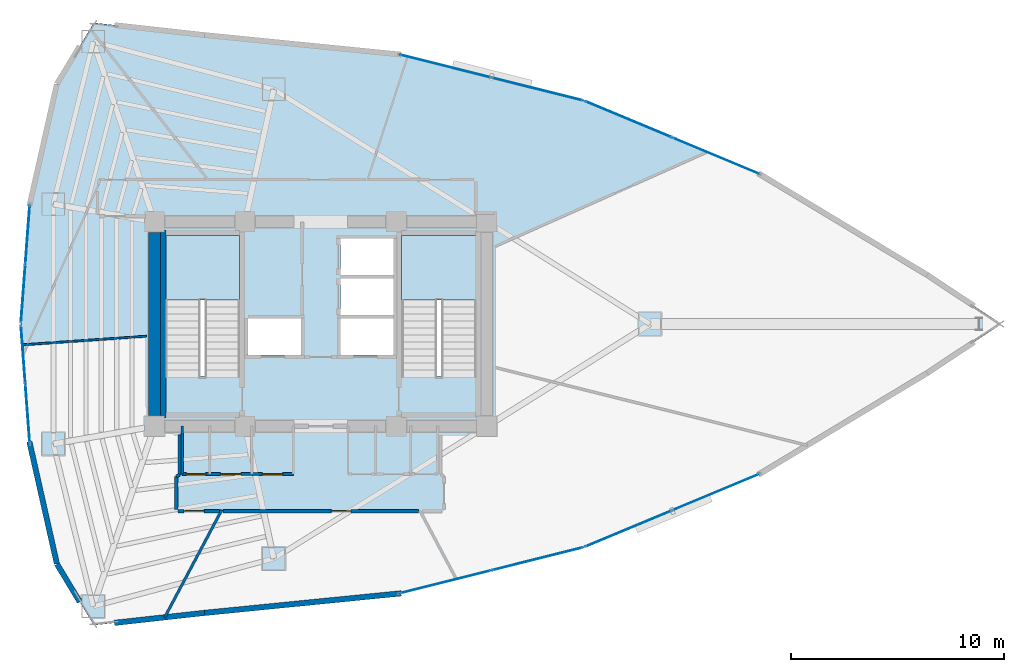
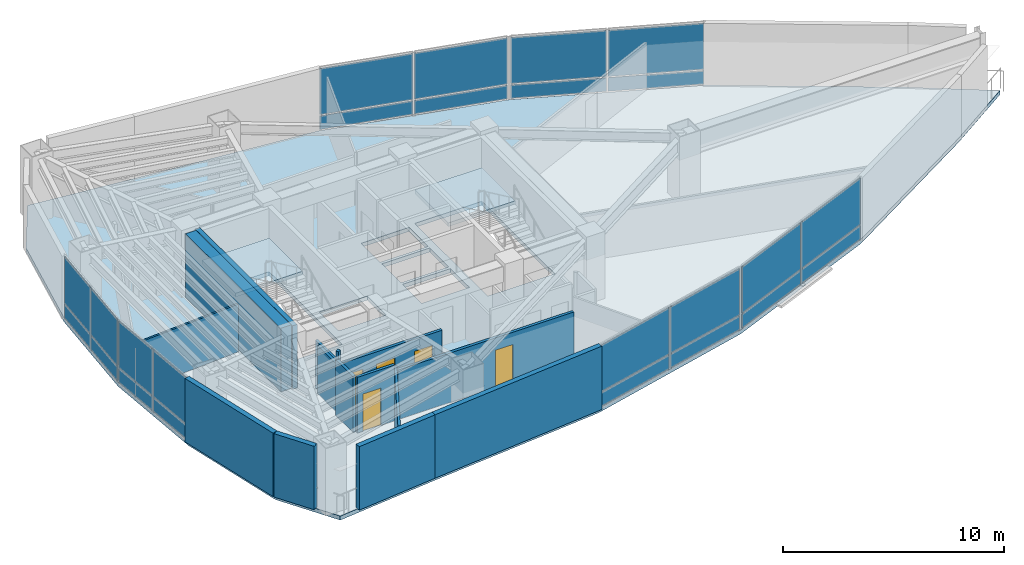
# One storey, part 13 of 18: 24 plates, 15 walls, 5 doors, 3 slabs, 5 openings, 8 elements without a shape of their own.
"""IFC4 building model written with IfcOpenShell, lengths in metres."""

import ifcopenshell
import ifcopenshell.guid

model = None  # the IFC model being written
_history = None  # IfcOwnerHistory: only IFC2X3 demands one
_inside = {}  # id of a spatial element -> (the spatial element, [elements in it])
_under = {}  # id of a project, library or spatial element -> (it, [spatial elements below it])
_declared = {}  # id of a project -> (the project, [libraries it declares])
_typed = {}  # id of a type object -> (the type object, [elements of that type])
_made_of = {}  # id of a material, layer set ... -> (it, [elements and type objects made of it])


def new_model(schema):
    """Start an empty IFC model of exactly this schema.

    Asked for "IFC4X3", IfcOpenShell would pick the latest addendum, in which some entities
    have other attributes; the version numbers below select the first issue.
    IFC2X3 requires an IfcOwnerHistory on every rooted entity: one is made here for all.
    """
    global model, _history
    if schema == "IFC4X3":
        model = ifcopenshell.file(schema_version=(4, 3, 0, 0))
    else:
        model = ifcopenshell.file(schema=schema)
    _inside.clear()
    _under.clear()
    _declared.clear()
    _typed.clear()
    _made_of.clear()
    _history = None
    if model.schema == "IFC2X3":
        org = make("IfcOrganization", Name="unknown")
        user = make(
            "IfcPersonAndOrganization",
            ThePerson=make("IfcPerson", FamilyName="unknown"),
            TheOrganization=org,
        )
        app = make(
            "IfcApplication",
            ApplicationDeveloper=org,
            Version="unknown",
            ApplicationFullName="unknown",
            ApplicationIdentifier="unknown",
        )
        _history = make(
            "IfcOwnerHistory",
            OwningUser=user,
            OwningApplication=app,
            ChangeAction="ADDED",
            CreationDate=0,
        )
    return model


def make(cls, **values):
    """One entity of the class cls with the attributes given. An attribute that is None is left unset."""
    return model.create_entity(
        cls, **{name: value for name, value in values.items() if value is not None}
    )


def rooted(cls, **values):
    """An entity with a GlobalId (a new one), such as an element, a storey or a relation."""
    return make(cls, GlobalId=ifcopenshell.guid.new(), OwnerHistory=_history, **values)


def si_unit(unit_type, name, prefix=None):
    """IfcSIUnit, for example si_unit("LENGTHUNIT", "METRE", prefix="MILLI")."""
    return make("IfcSIUnit", UnitType=unit_type, Prefix=prefix, Name=name)


def assignment(units):
    """IfcUnitAssignment: the units of a project."""
    return None if units is None else make("IfcUnitAssignment", Units=units)


def point(xyz):
    """IfcCartesianPoint."""
    return None if xyz is None else make("IfcCartesianPoint", Coordinates=xyz)


def direction(xyz):
    """IfcDirection."""
    return None if xyz is None else make("IfcDirection", DirectionRatios=xyz)


def frame(location, z_axis=None, x_axis=None):
    """IfcAxis2Placement3D, a coordinate frame: its origin and axes. An axis left out is left unset."""
    return make(
        "IfcAxis2Placement3D",
        Location=point(location),
        Axis=direction(z_axis),
        RefDirection=direction(x_axis),
    )


def frame_2d(location, x_axis=None):
    """IfcAxis2Placement2D, a coordinate frame in the plane: its origin and x axis."""
    return make(
        "IfcAxis2Placement2D", Location=point(location), RefDirection=direction(x_axis)
    )


def origin():
    """The frame at (0, 0, 0) with its axes left unset."""
    return frame((0.0, 0.0, 0.0))


def origin_2d():
    """The frame at (0, 0) in the plane with its x axis left unset."""
    return frame_2d((0.0, 0.0))


def place(relative_to, where):
    """IfcLocalPlacement: puts the frame where relative to a parent placement (None: the world)."""
    return make(
        "IfcLocalPlacement", PlacementRelTo=relative_to, RelativePlacement=where
    )


def context(
    kind, dimensions, precision=None, world=None, true_north=None, identifier=None
):
    """IfcGeometricRepresentationContext, for example the 3D "Model" context."""
    return make(
        "IfcGeometricRepresentationContext",
        ContextIdentifier=identifier,
        ContextType=kind,
        CoordinateSpaceDimension=dimensions,
        Precision=precision,
        WorldCoordinateSystem=world,
        TrueNorth=true_north,
    )


def subcontext(parent, identifier, kind, view, scale=None):
    """IfcGeometricRepresentationSubContext, for example "Body" below "Model"."""
    return make(
        "IfcGeometricRepresentationSubContext",
        ContextIdentifier=identifier,
        ContextType=kind,
        ParentContext=parent,
        TargetScale=scale,
        TargetView=view,
    )


def project(units=None, contexts=None):
    """IfcProject with its units and contexts."""
    return rooted(
        "IfcProject",
        Name="project",
        RepresentationContexts=contexts,
        UnitsInContext=assignment(units),
    )


def spatial(cls, under=None, at=None, **own):
    """A site, building, storey or space (cls), placed at a placement, below another one or the project."""
    s = rooted(cls, ObjectPlacement=at, **own)
    if under is not None:
        _under.setdefault(under.id(), (under, []))[1].append(s)
    return s


def polyline(points):
    """IfcPolyline through the points."""
    return make("IfcPolyline", Points=[point(p) for p in points])


def profile(cls, at=None, kind="AREA", **sizes):
    """A parametric profile (cls). Its sizes go by their IFC names, for example OverallWidth=200.0."""
    return make(cls, ProfileType=kind, Position=at, **sizes)


def rectangle(**sizes):
    """IfcRectangleProfileDef."""
    return profile("IfcRectangleProfileDef", **sizes)


def outline(outer, holes=None, kind="AREA"):
    """IfcArbitraryClosedProfileDef: a profile drawn as a closed curve; with holes, ...WithVoids."""
    if holes is None:
        return make("IfcArbitraryClosedProfileDef", ProfileType=kind, OuterCurve=outer)
    return make(
        "IfcArbitraryProfileDefWithVoids",
        ProfileType=kind,
        OuterCurve=outer,
        InnerCurves=holes,
    )


def extrude(swept, where, along, depth):
    """IfcExtrudedAreaSolid: the profile swept, set in the frame where, extruded along a direction by depth."""
    return make(
        "IfcExtrudedAreaSolid",
        SweptArea=swept,
        Position=where,
        ExtrudedDirection=direction(along),
        Depth=depth,
    )


def shape(context_of_items, identifier, shape_type, items):
    """IfcShapeRepresentation: the items that make up one representation, for example the "Body"."""
    return make(
        "IfcShapeRepresentation",
        ContextOfItems=context_of_items,
        RepresentationIdentifier=identifier,
        RepresentationType=shape_type,
        Items=items,
    )


def material(Name=None, Category=None):
    """IfcMaterial."""
    return make("IfcMaterial", Name=Name, Category=Category)


def layer(
    of_material, thickness, ventilated=None, Name=None, Category=None, Priority=None
):
    """IfcMaterialLayer: one layer of a wall or slab, of a material (None: an air gap)."""
    return make(
        "IfcMaterialLayer",
        Material=of_material,
        LayerThickness=thickness,
        IsVentilated=ventilated,
        Name=Name,
        Category=Category,
        Priority=Priority,
    )


def layer_set(layers, Name=None):
    """IfcMaterialLayerSet."""
    return make("IfcMaterialLayerSet", MaterialLayers=layers, LayerSetName=Name)


def made_of(thing, what):
    """Note that an element or type object is made of a material, layer set ...; save() writes the relation."""
    if what is not None:
        _made_of.setdefault(what.id(), (what, []))[1].append(thing)
    return thing


def type_object(cls, material=None, **own):
    """A type object (cls), such as IfcWallType, which elements share."""
    return made_of(rooted(cls, **own), material)


def element(
    cls,
    number,
    at=None,
    inside=None,
    cuts=None,
    type_object=None,
    material=None,
    context=None,
    identifier="Body",
    shape_type=None,
    held_by="IfcProductDefinitionShape",
    body=None,
    shapes=None,
    **own,
):
    """One element of the class cls, such as IfcWall. Its Tag is "e" and its number.

    at: its placement. inside: the storey or other place that contains it. cuts: it is an
    opening in that element (IfcRelVoidsElement). A single representation is given by context,
    identifier, shape_type and body (its items); several are given by shapes. held_by: the class
    of the entity that holds the representations. save() writes the other relations.
    """
    e = rooted(cls, Tag="e%d" % number, ObjectPlacement=at, **own)
    if body is not None:
        shapes = [shape(context, identifier, shape_type, body)]
    if shapes is not None:
        e.Representation = make(held_by, Representations=shapes)
    if inside is not None:
        _inside.setdefault(inside.id(), (inside, []))[1].append(e)
    if cuts is not None:
        rooted(
            "IfcRelVoidsElement", RelatingBuildingElement=cuts, RelatedOpeningElement=e
        )
    if type_object is not None:
        _typed.setdefault(type_object.id(), (type_object, []))[1].append(e)
    return made_of(e, material)


def fill(opening, filler):
    """IfcRelFillsElement: the door or window that sits in an opening."""
    return rooted(
        "IfcRelFillsElement",
        RelatingOpeningElement=opening,
        RelatedBuildingElement=filler,
    )


def aggregate(whole, parts):
    """IfcRelAggregates: a whole, such as a stair, and the parts it consists of."""
    return rooted("IfcRelAggregates", RelatingObject=whole, RelatedObjects=parts)


def save(model, path):
    """Write the relations noted so far, then the file.

    IfcRelAggregates (storeys below a building ...), IfcRelContainedInSpatialStructure (elements
    in a storey), IfcRelDefinesByType, IfcRelAssociatesMaterial and IfcRelDeclares: one each for
    every whole, place, type object, material and project.
    """
    for whole, parts in _under.values():
        aggregate(whole, parts)
    for where, things in _inside.values():
        rooted(
            "IfcRelContainedInSpatialStructure",
            RelatedElements=things,
            RelatingStructure=where,
        )
    for kind, things in _typed.values():
        rooted("IfcRelDefinesByType", RelatedObjects=things, RelatingType=kind)
    for what, things in _made_of.values():
        rooted("IfcRelAssociatesMaterial", RelatedObjects=things, RelatingMaterial=what)
    for by, libraries in _declared.values():
        rooted("IfcRelDeclares", RelatingContext=by, RelatedDefinitions=libraries)
    model.write(path)


model = new_model("IFC4")

# Units and contexts
model_context = context("Model", 3, precision=1e-05, world=origin(), true_north=direction((0.0, 1.0)))
body_context = subcontext(model_context, "Body", "Model", "MODEL_VIEW")
ifc_project = project(units=[si_unit("LENGTHUNIT", "METRE"), si_unit("AREAUNIT", "SQUARE_METRE"), si_unit("VOLUMEUNIT", "CUBIC_METRE"), si_unit("PLANEANGLEUNIT", "RADIAN"), si_unit("MASSUNIT", "GRAM", prefix="KILO")], contexts=[model_context])

# Site, building, storey
site_placement = place(None, origin())
site = spatial("IfcSite", under=ifc_project, at=site_placement, CompositionType="ELEMENT")
building_placement = place(site_placement, origin())
building = spatial("IfcBuilding", under=site, at=building_placement, Name="Menara Vayukalpa", CompositionType="ELEMENT")
storey_placement = place(building_placement, frame((0.0, 0.0, 161.760009765625)))
storey = spatial("IfcBuildingStorey", under=building, at=storey_placement, Name="L40", CompositionType="ELEMENT", Elevation=161.760009765625)

# Curtain wall, plates
ifc_material_1 = material(Name="Anodised Terracotta Aluminium Alloy 6063-T6", Category="masonry")
ifc_layer_1 = layer(ifc_material_1, 0.179931640625)
ifc_layer_set_1 = layer_set([ifc_layer_1], Name="Anodised Terracotta Aluminium Alloy 6063-T6")
curtain_wall_type = type_object("IfcCurtainWallType", Name="CW-CW4", PredefinedType="USERDEFINED", material=ifc_layer_set_1)
curtain_wall_1_placement = place(storey_placement, origin())
curtain_wall_1 = element("IfcCurtainWall", 1, at=curtain_wall_1_placement, inside=storey, type_object=curtain_wall_type, Name="L40 Sky Bar Cantilever Glazed Curtain Wall CW4 04", ObjectType="UNITISED", PredefinedType="USERDEFINED")
ifc_material_2 = material(Name="Low-E Double Glazing", Category="glass")
ifc_layer_2 = layer(ifc_material_2, 0.0380859375)
ifc_layer_set_2 = layer_set([ifc_layer_2], Name="Low-E Double Glazing")
plate_type = type_object("IfcPlateType", Name="CWP-CW4", PredefinedType="CURTAIN_PANEL", material=ifc_layer_set_2)
plate_1_placement = place(storey_placement, frame((44.1494140625, 29.8955078125, 0.06982421875), z_axis=(0.0, 0.0, 1.0), x_axis=(-0.922878459104, 0.385091352437, 0.0)))
plate_1 = element("IfcPlate", 2, at=plate_1_placement, type_object=plate_type, Name="CW4 panel 1.1", PredefinedType="CURTAIN_PANEL", context=body_context, shape_type="SweptSolid", body=[
    extrude(rectangle(XDim=4.369873046875, YDim=0.0380859375, at=origin_2d()), origin(), (0.0, 0.0, 1.0), 0.7451171875),
])
plate_2_placement = place(storey_placement, frame((44.1494140625, 29.8955078125, 0.885009765625), z_axis=(0.0, 0.0, 1.0), x_axis=(-0.922878459104, 0.385091352437, 0.0)))
plate_2 = element("IfcPlate", 3, at=plate_2_placement, type_object=plate_type, Name="CW4 panel 1.2", PredefinedType="CURTAIN_PANEL", context=body_context, shape_type="SweptSolid", body=[
    extrude(rectangle(XDim=4.369873046875, YDim=0.0380859375, at=origin_2d()), origin(), (0.0, 0.0, 1.0), 2.544921875),
])
plate_3_placement = place(storey_placement, frame((40.04736328125, 31.607421875, 0.06982421875), z_axis=(0.0, 0.0, 1.0), x_axis=(-0.922878459104, 0.385091352437, 0.0)))
plate_3 = element("IfcPlate", 4, at=plate_3_placement, type_object=plate_type, Name="CW4 panel 2.1", PredefinedType="CURTAIN_PANEL", context=body_context, shape_type="SweptSolid", body=[
    extrude(rectangle(XDim=4.369873046875, YDim=0.0380859375, at=origin_2d()), origin(), (0.0, 0.0, 1.0), 0.7451171875),
])
plate_4_placement = place(storey_placement, frame((40.04736328125, 31.607421875, 0.885009765625), z_axis=(0.0, 0.0, 1.0), x_axis=(-0.922878459104, 0.385091352437, 0.0)))
plate_4 = element("IfcPlate", 5, at=plate_4_placement, type_object=plate_type, Name="CW4 panel 2.2", PredefinedType="CURTAIN_PANEL", context=body_context, shape_type="SweptSolid", body=[
    extrude(rectangle(XDim=4.369873046875, YDim=0.0380859375, at=origin_2d()), origin(), (0.0, 0.0, 1.0), 2.544921875),
])
aggregate(curtain_wall_1, [plate_1, plate_2, plate_3, plate_4])

curtain_wall_2_placement = place(storey_placement, origin())
curtain_wall_2 = element("IfcCurtainWall", 6, at=curtain_wall_2_placement, inside=storey, type_object=curtain_wall_type, Name="L40 Sky Bar Cantilever Glazed Curtain Wall CW4 05", ObjectType="UNITISED", PredefinedType="USERDEFINED")
plate_5_placement = place(storey_placement, frame((35.76953125, 33.027099609375, 0.06982421875), z_axis=(0.0, 0.0, 1.0), x_axis=(-0.969997975566, 0.243112993066, 0.0)))
plate_5 = element("IfcPlate", 7, at=plate_5_placement, type_object=plate_type, Name="CW4 panel 1.1", PredefinedType="CURTAIN_PANEL", context=body_context, shape_type="SweptSolid", body=[
    extrude(rectangle(XDim=4.369873046875, YDim=0.0380859375, at=origin_2d()), origin(), (0.0, 0.0, 1.0), 0.7451171875),
])
plate_6_placement = place(storey_placement, frame((35.76953125, 33.027099609375, 0.885009765625), z_axis=(0.0, 0.0, 1.0), x_axis=(-0.969997975566, 0.243112993066, 0.0)))
plate_6 = element("IfcPlate", 8, at=plate_6_placement, type_object=plate_type, Name="CW4 panel 1.2", PredefinedType="CURTAIN_PANEL", context=body_context, shape_type="SweptSolid", body=[
    extrude(rectangle(XDim=4.369873046875, YDim=0.0380859375, at=origin_2d()), origin(), (0.0, 0.0, 1.0), 2.544921875),
])
plate_7_placement = place(storey_placement, frame((31.4580078125, 34.107666015625, 0.06982421875), z_axis=(0.0, 0.0, 1.0), x_axis=(-0.969997975566, 0.243112993066, 0.0)))
plate_7 = element("IfcPlate", 9, at=plate_7_placement, type_object=plate_type, Name="CW4 panel 2.1", PredefinedType="CURTAIN_PANEL", context=body_context, shape_type="SweptSolid", body=[
    extrude(rectangle(XDim=4.369873046875, YDim=0.0380859375, at=origin_2d()), origin(), (0.0, 0.0, 1.0), 0.7451171875),
])
plate_8_placement = place(storey_placement, frame((31.4580078125, 34.107666015625, 0.885009765625), z_axis=(0.0, 0.0, 1.0), x_axis=(-0.969997975566, 0.243112993066, 0.0)))
plate_8 = element("IfcPlate", 10, at=plate_8_placement, type_object=plate_type, Name="CW4 panel 2.2", PredefinedType="CURTAIN_PANEL", context=body_context, shape_type="SweptSolid", body=[
    extrude(rectangle(XDim=4.369873046875, YDim=0.0380859375, at=origin_2d()), origin(), (0.0, 0.0, 1.0), 2.544921875),
])
aggregate(curtain_wall_2, [plate_5, plate_6, plate_7, plate_8])

curtain_wall_3_placement = place(storey_placement, origin())
curtain_wall_3 = element("IfcCurtainWall", 11, at=curtain_wall_3_placement, inside=storey, type_object=curtain_wall_type, Name="L40 Sky Bar Cantilever Glazed Curtain Wall CW4 10", ObjectType="UNITISED", PredefinedType="USERDEFINED")
plate_9_placement = place(storey_placement, frame((11.842041015625, 26.205078125, 0.06982421875), z_axis=(0.0, 0.0, 1.0), x_axis=(-0.074792589364, -0.997199111801, 0.0)))
plate_9 = element("IfcPlate", 12, at=plate_9_placement, type_object=plate_type, Name="CW4 panel 1.1", PredefinedType="CURTAIN_PANEL", context=body_context, shape_type="SweptSolid", body=[
    extrude(rectangle(XDim=2.71142578125, YDim=0.0380859375, at=origin_2d()), origin(), (0.0, 0.0, 1.0), 0.7451171875),
])
plate_10_placement = place(storey_placement, frame((11.842041015625, 26.205078125, 0.885009765625), z_axis=(0.0, 0.0, 1.0), x_axis=(-0.074792589364, -0.997199111801, 0.0)))
plate_10 = element("IfcPlate", 13, at=plate_10_placement, type_object=plate_type, Name="CW4 panel 1.2", PredefinedType="CURTAIN_PANEL", context=body_context, shape_type="SweptSolid", body=[
    extrude(rectangle(XDim=2.71142578125, YDim=0.0380859375, at=origin_2d()), origin(), (0.0, 0.0, 1.0), 2.544921875),
])
plate_11_placement = place(storey_placement, frame((11.6337890625, 23.4267578125, 0.06982421875), z_axis=(0.0, 0.0, 1.0), x_axis=(-0.074792589364, -0.997199111801, 0.0)))
plate_11 = element("IfcPlate", 14, at=plate_11_placement, type_object=plate_type, Name="CW4 panel 2.1", PredefinedType="CURTAIN_PANEL", context=body_context, shape_type="SweptSolid", body=[
    extrude(rectangle(XDim=2.71142578125, YDim=0.0380859375, at=origin_2d()), origin(), (0.0, 0.0, 1.0), 0.7451171875),
])
plate_12_placement = place(storey_placement, frame((11.6337890625, 23.4267578125, 0.885009765625), z_axis=(0.0, 0.0, 1.0), x_axis=(-0.074792589364, -0.997199111801, 0.0)))
plate_12 = element("IfcPlate", 15, at=plate_12_placement, type_object=plate_type, Name="CW4 panel 2.2", PredefinedType="CURTAIN_PANEL", context=body_context, shape_type="SweptSolid", body=[
    extrude(rectangle(XDim=2.71142578125, YDim=0.0380859375, at=origin_2d()), origin(), (0.0, 0.0, 1.0), 2.544921875),
])
aggregate(curtain_wall_3, [plate_9, plate_10, plate_11, plate_12])

curtain_wall_4_placement = place(storey_placement, origin())
curtain_wall_4 = element("IfcCurtainWall", 16, at=curtain_wall_4_placement, inside=storey, type_object=curtain_wall_type, Name="L40 Sky Bar Cantilever Glazed Curtain Wall CW4 11", ObjectType="UNITISED", PredefinedType="USERDEFINED")
plate_13_placement = place(storey_placement, frame((11.6337890625, 20.5732421875, 0.06982421875), z_axis=(0.0, 0.0, 1.0), x_axis=(0.074792589364, -0.997199111801, 0.0)))
plate_13 = element("IfcPlate", 17, at=plate_13_placement, type_object=plate_type, Name="CW4 panel 1.1", PredefinedType="CURTAIN_PANEL", context=body_context, shape_type="SweptSolid", body=[
    extrude(rectangle(XDim=2.71142578125, YDim=0.0380859375, at=origin_2d()), origin(), (0.0, 0.0, 1.0), 0.7451171875),
])
plate_14_placement = place(storey_placement, frame((11.6337890625, 20.5732421875, 0.885009765625), z_axis=(0.0, 0.0, 1.0), x_axis=(0.074792589364, -0.997199111801, 0.0)))
plate_14 = element("IfcPlate", 18, at=plate_14_placement, type_object=plate_type, Name="CW4 panel 1.2", PredefinedType="CURTAIN_PANEL", context=body_context, shape_type="SweptSolid", body=[
    extrude(rectangle(XDim=2.71142578125, YDim=0.0380859375, at=origin_2d()), origin(), (0.0, 0.0, 1.0), 2.544921875),
])
plate_15_placement = place(storey_placement, frame((11.842041015625, 17.794921875, 0.06982421875), z_axis=(0.0, 0.0, 1.0), x_axis=(0.074792589364, -0.997199111801, 0.0)))
plate_15 = element("IfcPlate", 19, at=plate_15_placement, type_object=plate_type, Name="CW4 panel 2.1", PredefinedType="CURTAIN_PANEL", context=body_context, shape_type="SweptSolid", body=[
    extrude(rectangle(XDim=2.71142578125, YDim=0.0380859375, at=origin_2d()), origin(), (0.0, 0.0, 1.0), 0.7451171875),
])
plate_16_placement = place(storey_placement, frame((11.842041015625, 17.794921875, 0.885009765625), z_axis=(0.0, 0.0, 1.0), x_axis=(0.074792589364, -0.997199111801, 0.0)))
plate_16 = element("IfcPlate", 20, at=plate_16_placement, type_object=plate_type, Name="CW4 panel 2.2", PredefinedType="CURTAIN_PANEL", context=body_context, shape_type="SweptSolid", body=[
    extrude(rectangle(XDim=2.71142578125, YDim=0.0380859375, at=origin_2d()), origin(), (0.0, 0.0, 1.0), 2.544921875),
])
aggregate(curtain_wall_4, [plate_13, plate_14, plate_15, plate_16])

curtain_wall_5_placement = place(storey_placement, origin())
curtain_wall_5 = element("IfcCurtainWall", 21, at=curtain_wall_5_placement, inside=storey, type_object=curtain_wall_type, Name="L40 Sky Bar Cantilever Glazed Curtain Wall CW4 16", ObjectType="UNITISED", PredefinedType="USERDEFINED")
plate_17_placement = place(storey_placement, frame((31.4580078125, 9.892333984375, 0.06982421875), z_axis=(0.0, 0.0, 1.0), x_axis=(0.969997975566, 0.243112993066, 0.0)))
plate_17 = element("IfcPlate", 22, at=plate_17_placement, type_object=plate_type, Name="CW4 panel 1.1", PredefinedType="CURTAIN_PANEL", context=body_context, shape_type="SweptSolid", body=[
    extrude(rectangle(XDim=4.369873046875, YDim=0.0380859375, at=origin_2d()), origin(), (0.0, 0.0, 1.0), 0.7451171875),
])
plate_18_placement = place(storey_placement, frame((31.4580078125, 9.892333984375, 0.885009765625), z_axis=(0.0, 0.0, 1.0), x_axis=(0.969997975566, 0.243112993066, 0.0)))
plate_18 = element("IfcPlate", 23, at=plate_18_placement, type_object=plate_type, Name="CW4 panel 1.2", PredefinedType="CURTAIN_PANEL", context=body_context, shape_type="SweptSolid", body=[
    extrude(rectangle(XDim=4.369873046875, YDim=0.0380859375, at=origin_2d()), origin(), (0.0, 0.0, 1.0), 2.544921875),
])
plate_19_placement = place(storey_placement, frame((35.76953125, 10.972900390625, 0.06982421875), z_axis=(0.0, 0.0, 1.0), x_axis=(0.969997975566, 0.243112993066, 0.0)))
plate_19 = element("IfcPlate", 24, at=plate_19_placement, type_object=plate_type, Name="CW4 panel 2.1", PredefinedType="CURTAIN_PANEL", context=body_context, shape_type="SweptSolid", body=[
    extrude(rectangle(XDim=4.369873046875, YDim=0.0380859375, at=origin_2d()), origin(), (0.0, 0.0, 1.0), 0.7451171875),
])
plate_20_placement = place(storey_placement, frame((35.76953125, 10.972900390625, 0.885009765625), z_axis=(0.0, 0.0, 1.0), x_axis=(0.969997975566, 0.243112993066, 0.0)))
plate_20 = element("IfcPlate", 25, at=plate_20_placement, type_object=plate_type, Name="CW4 panel 2.2", PredefinedType="CURTAIN_PANEL", context=body_context, shape_type="SweptSolid", body=[
    extrude(rectangle(XDim=4.369873046875, YDim=0.0380859375, at=origin_2d()), origin(), (0.0, 0.0, 1.0), 2.544921875),
])
aggregate(curtain_wall_5, [plate_17, plate_18, plate_19, plate_20])

curtain_wall_6_placement = place(storey_placement, origin())
curtain_wall_6 = element("IfcCurtainWall", 26, at=curtain_wall_6_placement, inside=storey, type_object=curtain_wall_type, Name="L40 Sky Bar Cantilever Glazed Curtain Wall CW4 17", ObjectType="UNITISED", PredefinedType="USERDEFINED")
plate_21_placement = place(storey_placement, frame((40.04736328125, 12.392578125, 0.06982421875), z_axis=(0.0, 0.0, 1.0), x_axis=(0.922878459104, 0.385091352437, 0.0)))
plate_21 = element("IfcPlate", 27, at=plate_21_placement, type_object=plate_type, Name="CW4 panel 1.1", PredefinedType="CURTAIN_PANEL", context=body_context, shape_type="SweptSolid", body=[
    extrude(rectangle(XDim=4.369873046875, YDim=0.0380859375, at=origin_2d()), origin(), (0.0, 0.0, 1.0), 0.7451171875),
])
plate_22_placement = place(storey_placement, frame((40.04736328125, 12.392578125, 0.885009765625), z_axis=(0.0, 0.0, 1.0), x_axis=(0.922878459104, 0.385091352437, 0.0)))
plate_22 = element("IfcPlate", 28, at=plate_22_placement, type_object=plate_type, Name="CW4 panel 1.2", PredefinedType="CURTAIN_PANEL", context=body_context, shape_type="SweptSolid", body=[
    extrude(rectangle(XDim=4.369873046875, YDim=0.0380859375, at=origin_2d()), origin(), (0.0, 0.0, 1.0), 2.544921875),
])
plate_23_placement = place(storey_placement, frame((44.1494140625, 14.1044921875, 0.06982421875), z_axis=(0.0, 0.0, 1.0), x_axis=(0.922878459104, 0.385091352437, 0.0)))
plate_23 = element("IfcPlate", 29, at=plate_23_placement, type_object=plate_type, Name="CW4 panel 2.1", PredefinedType="CURTAIN_PANEL", context=body_context, shape_type="SweptSolid", body=[
    extrude(rectangle(XDim=4.369873046875, YDim=0.0380859375, at=origin_2d()), origin(), (0.0, 0.0, 1.0), 0.7451171875),
])
plate_24_placement = place(storey_placement, frame((44.1494140625, 14.1044921875, 0.885009765625), z_axis=(0.0, 0.0, 1.0), x_axis=(0.922878459104, 0.385091352437, 0.0)))
plate_24 = element("IfcPlate", 30, at=plate_24_placement, type_object=plate_type, Name="CW4 panel 2.2", PredefinedType="CURTAIN_PANEL", context=body_context, shape_type="SweptSolid", body=[
    extrude(rectangle(XDim=4.369873046875, YDim=0.0380859375, at=origin_2d()), origin(), (0.0, 0.0, 1.0), 2.544921875),
])
aggregate(curtain_wall_6, [plate_21, plate_22, plate_23, plate_24])

# Slab
ifc_material_3 = material(Name="Concrete C40/50", Category="concrete")
ifc_layer_3 = layer(ifc_material_3, 0.219970703125)
ifc_layer_set_3 = layer_set([ifc_layer_3], Name="Concrete C40/50")
slab_type_1 = type_object("IfcSlabType", Name="SLB-FL220", PredefinedType="FLOOR", material=ifc_layer_set_3)
slab_1_placement = place(storey_placement, frame((0.0, 0.0, -0.219970703125)))
element("IfcSlab", 31, at=slab_1_placement, inside=storey, type_object=slab_type_1, Name="L40 Sky Bar Structural Floor Slab", PredefinedType="FLOOR", context=body_context, shape_type="SweptSolid", body=[
    extrude(outline(polyline([(54.086181640625, 19.69970703125), (57.552001953125, 22.0), (54.086181640625, 24.30029296875), (46.235107421875, 29.025390625), (37.961669921875, 32.4775390625), (29.265625, 34.656982421875), (20.1474609375, 35.56396484375), (14.948974609375, 36.13916015625), (13.21630859375, 33.263671875), (11.94921875, 27.6318359375), (11.526611328125, 22.0), (11.94921875, 16.3681640625), (13.21630859375, 10.736328125), (14.948974609375, 7.86083984375), (20.1474609375, 8.43603515625), (29.265625, 9.343017578125), (37.961669921875, 11.5224609375), (46.235107421875, 14.974609375), (54.086181640625, 19.69970703125)]), holes=[polyline([(21.800048828125, 19.550048828125), (21.800048828125, 26.14990234375), (18.300048828125, 26.14990234375), (18.300048828125, 19.550048828125), (21.800048828125, 19.550048828125)]), polyline([(32.89990234375, 19.550048828125), (32.89990234375, 26.14990234375), (29.39990234375, 26.14990234375), (29.39990234375, 19.550048828125), (32.89990234375, 19.550048828125)]), polyline([(22.179931640625, 20.550048828125), (24.679931640625, 20.550048828125), (24.679931640625, 22.27001953125), (22.179931640625, 22.27001953125), (22.179931640625, 20.550048828125)]), polyline([(26.52001953125, 20.550048828125), (29.02001953125, 20.550048828125), (29.02001953125, 22.27001953125), (26.52001953125, 22.27001953125), (26.52001953125, 20.550048828125)]), polyline([(26.52001953125, 24.2900390625), (29.02001953125, 24.2900390625), (29.02001953125, 26.010009765625), (26.52001953125, 26.010009765625), (26.52001953125, 24.2900390625)]), polyline([(26.52001953125, 22.419921875), (29.02001953125, 22.419921875), (29.02001953125, 24.139892578125), (26.52001953125, 24.139892578125), (26.52001953125, 22.419921875)])]), origin(), (0.0, 0.0, 1.0), 0.219970703125),
])

# Stair, slab
ifc_material_4 = material(Name="Precast Concrete C40/50", Category="concrete")
stair_type = type_object("IfcStairType", Name="STR-T04", PredefinedType="DOUBLE_RETURN_STAIR", material=ifc_material_4)
stair_1_placement = place(storey_placement, origin())
stair_1 = element("IfcStair", 32, at=stair_1_placement, inside=storey, type_object=stair_type, Name="L40 Core Exit Stair ST-1", PredefinedType="DOUBLE_RETURN_STAIR")
ifc_material_5 = material(Name="Precast Concrete C40/50", Category="concrete")
ifc_layer_4 = layer(ifc_material_5, 0.199951171875)
ifc_layer_set_4 = layer_set([ifc_layer_4], Name="Precast Concrete C40/50")
slab_type_2 = type_object("IfcSlabType", Name="SLB-LND200", PredefinedType="LANDING", material=ifc_layer_set_4)
slab_2_placement = place(storey_placement, frame((0.0, 0.0, 1.659912109375)))
slab_2 = element("IfcSlab", 33, at=slab_2_placement, type_object=slab_type_2, Name="ST-1 landing 1", PredefinedType="LANDING", context=body_context, shape_type="SweptSolid", body=[
    extrude(outline(polyline([(21.800048828125, 23.1298828125), (21.800048828125, 26.14990234375), (18.300048828125, 26.14990234375), (18.300048828125, 23.1298828125), (21.800048828125, 23.1298828125)])), origin(), (0.0, 0.0, 1.0), 0.2001953125),
])
aggregate(stair_1, [slab_2])

stair_2_placement = place(storey_placement, origin())
stair_2 = element("IfcStair", 34, at=stair_2_placement, inside=storey, type_object=stair_type, Name="L40 Core Exit Stair ST-2", PredefinedType="DOUBLE_RETURN_STAIR")
slab_3_placement = place(storey_placement, frame((0.0, 0.0, 1.659912109375)))
slab_3 = element("IfcSlab", 35, at=slab_3_placement, type_object=slab_type_2, Name="ST-2 landing 1", PredefinedType="LANDING", context=body_context, shape_type="SweptSolid", body=[
    extrude(outline(polyline([(32.89990234375, 23.1298828125), (32.89990234375, 26.14990234375), (29.39990234375, 26.14990234375), (29.39990234375, 23.1298828125), (32.89990234375, 23.1298828125)])), origin(), (0.0, 0.0, 1.0), 0.2001953125),
])
aggregate(stair_2, [slab_3])

# Walls
ifc_material_6 = material(Name="Concrete C60/75", Category="concrete")
ifc_layer_5 = layer(ifc_material_6, 0.550048828125)
ifc_layer_set_5 = layer_set([ifc_layer_5], Name="Concrete C60/75")
wall_type_1 = type_object("IfcWallType", Name="WAL-CW550", PredefinedType="SHEAR", material=ifc_layer_set_5)
wall_1_placement = place(storey_placement, frame((17.800048828125, 17.695068359375, 0.0), z_axis=(0.0, 0.0, 1.0), x_axis=(0.0, 1.0, 0.0)))
element("IfcWall", 36, at=wall_1_placement, inside=storey, type_object=wall_type_1, Name="L40 Buttressed Core Shear Wall CWW1", PredefinedType="SHEAR", context=body_context, shape_type="SweptSolid", body=[
    extrude(rectangle(XDim=8.60986328125, YDim=0.550048828125, at=frame_2d((4.304931640625, 0.0))), origin(), (0.0, 0.0, 1.0), 3.5),
])
ifc_material_7 = material(Name="Insulated Precast Concrete C40/50", Category="concrete")
ifc_layer_6 = layer(ifc_material_7, 0.260009765625)
ifc_layer_set_6 = layer_set([ifc_layer_6], Name="Insulated Precast Concrete C40/50")
wall_type_2 = type_object("IfcWallType", Name="WAL-EXT260", PredefinedType="PARTITIONING", material=ifc_layer_set_6)
wall_2_placement = place(storey_placement, frame((13.214111328125, 10.745849609375, 0.0), z_axis=(0.0, 0.0, 1.0), x_axis=(-0.219491422264, 0.975614429758, 0.0)))
element("IfcWall", 37, at=wall_2_placement, inside=storey, type_object=wall_type_2, Name="L40 Perimeter Terracotta Pier Wall 12", PredefinedType="PARTITIONING", context=body_context, shape_type="SweptSolid", body=[
    extrude(rectangle(XDim=5.873046875, YDim=0.260009765625, at=frame_2d((2.9365234375, 0.0))), origin(), (0.0, 0.0, 1.0), 3.5),
])
wall_3_placement = place(storey_placement, frame((14.291259765625, 8.9521484375, 0.0), z_axis=(0.0, 0.0, 1.0), x_axis=(-0.516157331647, 0.856493788061, 0.0)))
element("IfcWall", 38, at=wall_3_placement, inside=storey, type_object=wall_type_2, Name="L40 Perimeter Terracotta Pier Wall 13", PredefinedType="PARTITIONING", context=body_context, shape_type="SweptSolid", body=[
    extrude(rectangle(XDim=2.0732421875, YDim=0.260009765625, at=frame_2d((1.03662109375, 0.0))), origin(), (0.0, 0.0, 1.0), 3.5),
])
wall_4_placement = place(storey_placement, frame((20.1533203125, 8.436767578125, 0.0), z_axis=(0.0, 0.0, 1.0), x_axis=(-0.993933978819, -0.109978387641, 0.0)))
element("IfcWall", 39, at=wall_4_placement, inside=storey, type_object=wall_type_2, Name="L40 Perimeter Terracotta Pier Wall 14", PredefinedType="PARTITIONING", context=body_context, shape_type="SweptSolid", body=[
    extrude(rectangle(XDim=4.2578125, YDim=0.260009765625, at=frame_2d((2.12890625, 0.0))), origin(), (0.0, 0.0, 1.0), 3.5),
])
wall_5_placement = place(storey_placement, frame((29.375244140625, 9.353759765625, 0.0), z_axis=(0.0, 0.0, 1.0), x_axis=(-0.9950896707, -0.098977508888, 0.0)))
element("IfcWall", 40, at=wall_5_placement, inside=storey, type_object=wall_type_2, Name="L40 Perimeter Terracotta Pier Wall 15", PredefinedType="PARTITIONING", context=body_context, shape_type="SweptSolid", body=[
    extrude(rectangle(XDim=9.279541015625, YDim=0.260009765625, at=frame_2d((4.6396484375, 0.0))), origin(), (0.0, 0.0, 1.0), 3.5),
])
ifc_material_8 = material(Name="Glazed Demountable Office Partition", Category="glass")
ifc_layer_7 = layer(ifc_material_8, 0.094970703125)
ifc_layer_set_7 = layer_set([ifc_layer_7], Name="Glazed Demountable Office Partition")
wall_type_3 = type_object("IfcWallType", Name="WAL-PT100", PredefinedType="PARTITIONING", material=ifc_layer_set_7)
wall_6_placement = place(storey_placement, frame((17.429931640625, 21.4287109375, 0.0), z_axis=(0.0, 0.0, 1.0), x_axis=(-0.997563032527, -0.069771026481, 0.0)))
element("IfcWall", 41, at=wall_6_placement, inside=storey, type_object=wall_type_3, Name="L40 Interior Partition IW-L40-RDIV04", PredefinedType="PARTITIONING", context=body_context, shape_type="SweptSolid", body=[
    extrude(rectangle(XDim=5.85400390625, YDim=0.094970703125, at=frame_2d((2.927001953125, 0.0))), origin(), (0.0, 0.0, 1.0), 2.6298828125),
])
ifc_material_9 = material(Name="Gypsum Drywall Steel Stud Assembly", Category="steel")
ifc_layer_8 = layer(ifc_material_9, 0.125)
ifc_layer_set_8 = layer_set([ifc_layer_8], Name="Gypsum Drywall Steel Stud Assembly")
wall_type_4 = type_object("IfcWallType", Name="WAL-PT125", PredefinedType="PARTITIONING", material=ifc_layer_set_8)
wall_7_placement = place(storey_placement, frame((19.10009765625, 14.949951171875, 0.0), z_axis=(0.0, 0.0, 1.0), x_axis=(0.0, 1.0, 0.0)))
element("IfcWall", 42, at=wall_7_placement, inside=storey, type_object=wall_type_4, Name="L40 Interior Partition IW-L40-SVCD-01", PredefinedType="PARTITIONING", context=body_context, shape_type="SweptSolid", body=[
    extrude(rectangle(XDim=2.25, YDim=0.125, at=frame_2d((1.125, 0.0))), origin(), (0.0, 0.0, 1.0), 2.6298828125),
])
wall_8_placement = place(storey_placement, frame((20.952880859375, 13.260009765625, 0.0), z_axis=(0.0, 0.0, 1.0), x_axis=(-0.469478237377, -0.882944043883, 0.0)))
element("IfcWall", 43, at=wall_8_placement, inside=storey, type_object=wall_type_4, Name="L40 Interior Partition IW-L40-RDIV05", PredefinedType="PARTITIONING", context=body_context, shape_type="SweptSolid", body=[
    extrude(rectangle(XDim=5.7099609375, YDim=0.125, at=frame_2d((2.85498046875, 0.0))), origin(), (0.0, 0.0, 1.0), 2.929931640625),
])

# Wall, openings, doors
ifc_material_10 = material(Name="Gypsum Drywall Acoustic Stud Assembly", Category="masonry")
ifc_layer_9 = layer(ifc_material_10, 0.14501953125)
ifc_layer_set_9 = layer_set([ifc_layer_9], Name="Gypsum Drywall Acoustic Stud Assembly")
wall_type_5 = type_object("IfcWallType", Name="WAL-PT150", PredefinedType="PARTITIONING", material=ifc_layer_set_9)
wall_9_placement = place(storey_placement, frame((19.10009765625, 14.949951171875, 0.0), z_axis=(0.0, 0.0, 1.0), x_axis=(1.0, 0.0, 0.0)))
wall_9 = element("IfcWall", 44, at=wall_9_placement, inside=storey, type_object=wall_type_5, Name="L40 Interior Partition IW-L40-SVCS-W", PredefinedType="PARTITIONING", context=body_context, shape_type="SweptSolid", body=[
    extrude(rectangle(XDim=5.219970703125, YDim=0.14501953125, at=frame_2d((2.60986328125, 0.0))), origin(), (0.0, 0.0, 1.0), 2.72998046875),
])
opening_1_placement = place(wall_9_placement, frame((0.199951171875, 0.0, 0.0)))
opening_1 = element("IfcOpeningElement", 45, at=opening_1_placement, cuts=wall_9, Name="Opening ID7", PredefinedType="OPENING", context=body_context, shape_type="SweptSolid", body=[
    extrude(rectangle(XDim=0.89990234375, YDim=2.02001953125, at=frame_2d((0.449951171875, 1.010009765625))), frame((0.0, 0.08251953125, 0.0), z_axis=(0.0, -1.0, 0.0), x_axis=(1.0, 0.0, 0.0)), (0.0, 0.0, 1.0), 0.1650390625),
])
opening_2_placement = place(wall_9_placement, frame((1.804931640625, 0.0, 0.0)))
opening_2 = element("IfcOpeningElement", 46, at=opening_2_placement, cuts=wall_9, Name="Opening ID5", PredefinedType="OPENING", context=body_context, shape_type="SweptSolid", body=[
    extrude(rectangle(XDim=0.949951171875, YDim=2.06005859375, at=frame_2d((0.47509765625, 1.030029296875))), frame((0.0, 0.08251953125, 0.0), z_axis=(0.0, -1.0, 0.0), x_axis=(1.0, 0.0, 0.0)), (0.0, 0.0, 1.0), 0.1650390625),
])
opening_3_placement = place(wall_9_placement, frame((3.764892578125, 0.0, 0.0)))
opening_3 = element("IfcOpeningElement", 47, at=opening_3_placement, cuts=wall_9, Name="Opening ID5", PredefinedType="OPENING", context=body_context, shape_type="SweptSolid", body=[
    extrude(rectangle(XDim=0.949951171875, YDim=2.06005859375, at=frame_2d((0.47509765625, 1.030029296875))), frame((0.0, 0.08251953125, 0.0), z_axis=(0.0, -1.0, 0.0), x_axis=(1.0, 0.0, 0.0)), (0.0, 0.0, 1.0), 0.1650390625),
])
ifc_material_11 = material(Name="Acoustic Hardwood Veneer Timber Door", Category="wood")
door_type_1 = type_object("IfcDoorType", Name="DR-INT95", OperationType="NOTDEFINED", PredefinedType="DOOR", material=ifc_material_11)
door_1_placement = place(opening_2_placement, origin())
door_1 = element("IfcDoor", 48, at=door_1_placement, inside=storey, type_object=door_type_1, Name="L40 Interior Door DR-L40-AWC", OperationType="SINGLE_SWING_LEFT", OverallHeight=2.06005859375, OverallWidth=0.949951171875, PredefinedType="DOOR", context=body_context, shape_type="SweptSolid", body=[
    extrude(rectangle(XDim=0.949951171875, YDim=2.06005859375, at=frame_2d((0.47509765625, 1.030029296875))), frame((0.0, 0.02490234375, 0.0), z_axis=(0.0, -1.0, 0.0), x_axis=(1.0, 0.0, 0.0)), (0.0, 0.0, 1.0), 0.050048828125),
])
fill(opening_2, door_1)
door_2_placement = place(opening_3_placement, origin())
door_2 = element("IfcDoor", 49, at=door_2_placement, inside=storey, type_object=door_type_1, Name="L40 Interior Door DR-L40-SWC", OperationType="SINGLE_SWING_RIGHT", OverallHeight=2.06005859375, OverallWidth=0.949951171875, PredefinedType="DOOR", context=body_context, shape_type="SweptSolid", body=[
    extrude(rectangle(XDim=0.949951171875, YDim=2.06005859375, at=frame_2d((0.47509765625, 1.030029296875))), frame((0.0, 0.02490234375, 0.0), z_axis=(0.0, -1.0, 0.0), x_axis=(1.0, 0.0, 0.0)), (0.0, 0.0, 1.0), 0.050048828125),
])
fill(opening_3, door_2)
ifc_material_12 = material(Name="Powder-Coated Steel Riser Access Door", Category="steel")
door_type_2 = type_object("IfcDoorType", Name="DR-RISER", OperationType="NOTDEFINED", PredefinedType="DOOR", material=ifc_material_12)
door_3_placement = place(opening_1_placement, origin())
door_3 = element("IfcDoor", 50, at=door_3_placement, inside=storey, type_object=door_type_2, Name="L40 Interior Door DR-L40-ELR", OperationType="SINGLE_SWING_RIGHT", OverallHeight=2.02001953125, OverallWidth=0.89990234375, PredefinedType="DOOR", context=body_context, shape_type="SweptSolid", body=[
    extrude(rectangle(XDim=0.89990234375, YDim=2.02001953125, at=frame_2d((0.449951171875, 1.010009765625))), frame((0.0, 0.02490234375, 0.0), z_axis=(0.0, -1.0, 0.0), x_axis=(1.0, 0.0, 0.0)), (0.0, 0.0, 1.0), 0.050048828125),
])
fill(opening_1, door_3)

# Walls
wall_10_placement = place(storey_placement, frame((18.97998046875, 16.780029296875, 0.0), z_axis=(0.0, 0.0, 1.0), x_axis=(0.0, -1.0, 0.0)))
element("IfcWall", 51, at=wall_10_placement, inside=storey, type_object=wall_type_5, Name="L40 Interior Partition IW-L40-CRM01-1", PredefinedType="PARTITIONING", context=body_context, shape_type="SweptSolid", body=[
    extrude(rectangle(XDim=1.85009765625, YDim=0.14501953125, at=frame_2d((0.925048828125, 0.0))), origin(), (0.0, 0.0, 1.0), 2.6298828125),
])
wall_11_placement = place(storey_placement, frame((18.820068359375, 14.85009765625, 0.0), z_axis=(0.0, 0.0, 1.0), x_axis=(0.0, -1.0, 0.0)))
element("IfcWall", 52, at=wall_11_placement, inside=storey, type_object=wall_type_5, Name="L40 Interior Partition IW-L40-CRM01-2", PredefinedType="PARTITIONING", context=body_context, shape_type="SweptSolid", body=[
    extrude(rectangle(XDim=1.56005859375, YDim=0.14501953125, at=frame_2d((0.780029296875, 0.0))), origin(), (0.0, 0.0, 1.0), 3.080078125),
])

# Wall, opening, door
wall_12_placement = place(storey_placement, frame((18.89990234375, 13.2099609375, 0.0), z_axis=(0.0, 0.0, 1.0), x_axis=(1.0, 0.0, 0.0)))
wall_12 = element("IfcWall", 53, at=wall_12_placement, inside=storey, type_object=wall_type_5, Name="L40 Interior Partition IW-L40-CRM01-3", PredefinedType="PARTITIONING", context=body_context, shape_type="SweptSolid", body=[
    extrude(rectangle(XDim=1.947021484375, YDim=0.14501953125, at=frame_2d((0.9736328125, 0.0))), origin(), (0.0, 0.0, 1.0), 3.080078125),
])
opening_4_placement = place(wall_12_placement, frame((0.280029296875, 0.0, 0.0)))
opening_4 = element("IfcOpeningElement", 54, at=opening_4_placement, cuts=wall_12, Name="Opening ID5", PredefinedType="OPENING", context=body_context, shape_type="SweptSolid", body=[
    extrude(rectangle(XDim=0.949951171875, YDim=2.06005859375, at=frame_2d((0.47509765625, 1.030029296875))), frame((0.0, 0.08251953125, 0.0), z_axis=(0.0, -1.0, 0.0), x_axis=(1.0, 0.0, 0.0)), (0.0, 0.0, 1.0), 0.1650390625),
])
door_4_placement = place(opening_4_placement, origin())
door_4 = element("IfcDoor", 55, at=door_4_placement, inside=storey, type_object=door_type_1, Name="L40 Interior Door DR-L40-RM01", OperationType="SINGLE_SWING_RIGHT", OverallHeight=2.06005859375, OverallWidth=0.949951171875, PredefinedType="DOOR", context=body_context, shape_type="SweptSolid", body=[
    extrude(rectangle(XDim=0.949951171875, YDim=2.06005859375, at=frame_2d((0.47509765625, 1.030029296875))), frame((0.0, 0.02490234375, 0.0), z_axis=(0.0, -1.0, 0.0), x_axis=(1.0, 0.0, 0.0)), (0.0, 0.0, 1.0), 0.050048828125),
])
fill(opening_4, door_4)

wall_13_placement = place(storey_placement, frame((21.005615234375, 13.2099609375, 0.0), z_axis=(0.0, 0.0, 1.0), x_axis=(1.0, 0.0, 0.0)))
wall_13 = element("IfcWall", 56, at=wall_13_placement, inside=storey, type_object=wall_type_5, Name="L40 Interior Partition IW-L40-CRM02-1", PredefinedType="PARTITIONING", context=body_context, shape_type="SweptSolid", body=[
    extrude(rectangle(XDim=9.188720703125, YDim=0.14501953125, at=frame_2d((4.59423828125, 0.0))), origin(), (0.0, 0.0, 1.0), 2.72998046875),
])
opening_5_placement = place(wall_13_placement, frame((5.097900390625, 0.0, 0.0)))
opening_5 = element("IfcOpeningElement", 57, at=opening_5_placement, cuts=wall_13, Name="Opening ID6", PredefinedType="OPENING", context=body_context, shape_type="SweptSolid", body=[
    extrude(rectangle(XDim=0.919921875, YDim=2.050048828125, at=frame_2d((0.4599609375, 1.02490234375))), frame((0.0, 0.08251953125, 0.0), z_axis=(0.0, -1.0, 0.0), x_axis=(1.0, 0.0, 0.0)), (0.0, 0.0, 1.0), 0.1650390625),
])
ifc_material_13 = material(Name="Acoustic Hardwood Veneer Timber Door", Category="wood")
door_type_3 = type_object("IfcDoorType", Name="DR-INT92", OperationType="NOTDEFINED", PredefinedType="DOOR", material=ifc_material_13)
door_5_placement = place(opening_5_placement, origin())
door_5 = element("IfcDoor", 58, at=door_5_placement, inside=storey, type_object=door_type_3, Name="L40 Interior Door DR-L40-RM02", OperationType="SINGLE_SWING_LEFT", OverallHeight=2.050048828125, OverallWidth=0.919921875, PredefinedType="DOOR", context=body_context, shape_type="SweptSolid", body=[
    extrude(rectangle(XDim=0.919921875, YDim=2.050048828125, at=frame_2d((0.4599609375, 1.02490234375))), frame((0.0, 0.02490234375, 0.0), z_axis=(0.0, -1.0, 0.0), x_axis=(1.0, 0.0, 0.0)), (0.0, 0.0, 1.0), 0.050048828125),
])
fill(opening_5, door_5)

# Walls
wall_14_placement = place(storey_placement, frame((18.820068359375, 14.85009765625, 0.0), z_axis=(0.0, 0.0, 1.0), x_axis=(0.89470021502, 0.446667130247, 0.0)))
element("IfcWall", 59, at=wall_14_placement, inside=storey, type_object=wall_type_5, Name="L40 Interior Partition IW-L40-CRM01-2-R0", PredefinedType="PARTITIONING", context=body_context, shape_type="SweptSolid", body=[
    extrude(rectangle(XDim=0.1787109375, YDim=0.14501953125, at=frame_2d((0.08935546875, 0.0))), origin(), (0.0, 0.0, 1.0), 3.5),
])
ifc_material_14 = material(Name="Concrete C50/60", Category="concrete")
ifc_layer_10 = layer(ifc_material_14, 0.25)
ifc_layer_set_10 = layer_set([ifc_layer_10], Name="Concrete C50/60")
wall_type_6 = type_object("IfcWallType", Name="WAL-SW250", PredefinedType="SHEAR", material=ifc_layer_set_10)
wall_15_placement = place(storey_placement, frame((18.2041015625, 17.60009765625, 0.0), z_axis=(0.0, 0.0, 1.0), x_axis=(0.0, 1.0, 0.0)))
element("IfcWall", 60, at=wall_15_placement, inside=storey, type_object=wall_type_6, Name="L40 ST1 Structural Stair Shaft Wall W", PredefinedType="SHEAR", context=body_context, shape_type="SweptSolid", body=[
    extrude(rectangle(XDim=8.7998046875, YDim=0.25, at=frame_2d((4.39990234375, 0.0))), origin(), (0.0, 0.0, 1.0), 3.5),
])

save(model, "model.ifc")
